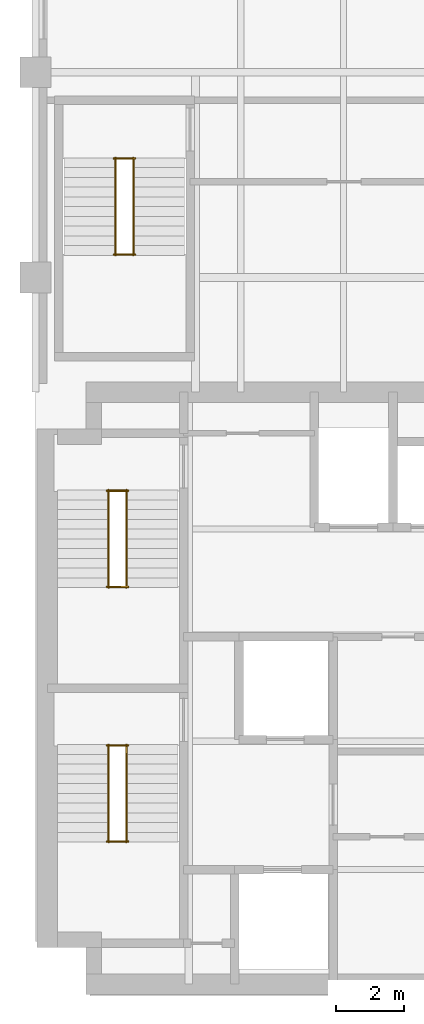
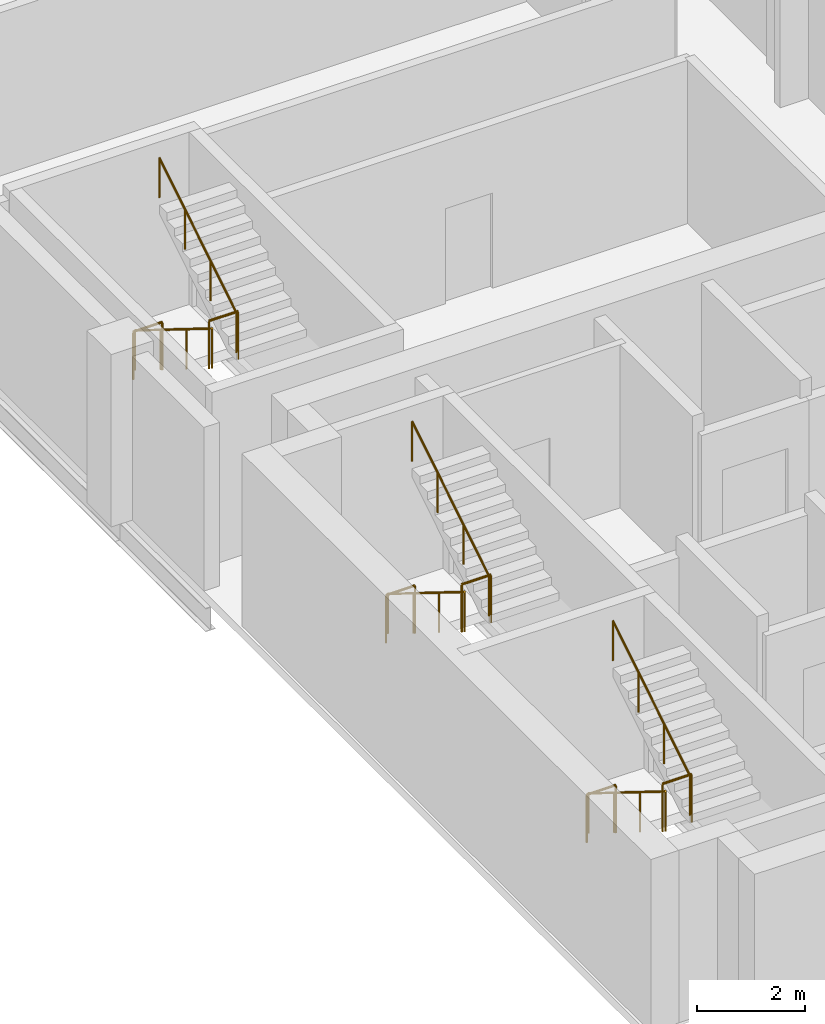
# One storey, part 6 of 6: 12 railings.
"""IFC4 building model written with IfcOpenShell, lengths in metres."""

from ifc_helpers import new_model, si_unit, direction, frame, origin, origin_2d, place, context, subcontext, project, spatial, circle, extrude, material, type_object, element, save


model = new_model("IFC4")

# Units and contexts
model_context = context("Model", 3, precision=1e-05, world=origin(), true_north=direction((0.0, 1.0)))
body_context = subcontext(model_context, "Body", "Model", "MODEL_VIEW")
ifc_project = project(units=[si_unit("LENGTHUNIT", "METRE"), si_unit("AREAUNIT", "SQUARE_METRE"), si_unit("VOLUMEUNIT", "CUBIC_METRE"), si_unit("PLANEANGLEUNIT", "RADIAN"), si_unit("MASSUNIT", "GRAM", prefix="KILO")], contexts=[model_context])

# Site, building, storey
site_placement = place(None, origin())
site = spatial("IfcSite", under=ifc_project, at=site_placement, CompositionType="ELEMENT")
building_placement = place(site_placement, origin())
building = spatial("IfcBuilding", under=site, at=building_placement, Name="Mawjdan Bourse Tower", CompositionType="ELEMENT")
storey_placement = place(building_placement, frame((0.0, 0.0, 211.199951171875)))
storey = spatial("IfcBuildingStorey", under=building, at=storey_placement, Name="L51", CompositionType="ELEMENT", Elevation=211.199951171875)

# Railings
ifc_material_1 = material(Name="Structural Steel S355", Category="steel")
railing_type_1 = type_object("IfcRailingType", Name="RLG-GRD-1100", PredefinedType="GUARDRAIL", material=ifc_material_1)
for number, where, name in (
    (1, (8.090087890625, 7.52001953125, 1.949951171875), "L51 ST1 Landing Guardrail GL-MID"),
    (2, (8.090087890625, 10.330078125, 0.0), "L51 ST1 Landing Guardrail GL-BOT"),
    (3, (8.090087890625, 14.9599609375, 1.949951171875), "L51 ST2 Landing Guardrail GL-MID"),
    (4, (8.090087890625, 17.77001953125, 0.0), "L51 ST2 Landing Guardrail GL-BOT"),
    (5, (8.2900390625, 24.669921875, 1.949951171875), "L51 ST3 Landing Guardrail GL-MID"),
    (6, (8.2900390625, 27.47998046875, 0.0), "L51 ST3 Landing Guardrail GL-BOT"),
):
    element("IfcRailing", number, at=place(storey_placement, frame(where)), inside=storey, type_object=railing_type_1, Name=name, PredefinedType="GUARDRAIL", context=body_context, shape_type="SweptSolid", body=[
        extrude(circle(Radius=0.02490234375, at=origin_2d()), frame((0.0, 0.0, 1.0751953125), z_axis=(1.0, 0.0, 0.0), x_axis=(0.0, 1.0, 0.0)), (0.0, 0.0, 1.0), 0.619873046875),
        extrude(circle(Radius=0.02099609375, at=origin_2d()), origin(), (0.0, 0.0, 1.0), 1.050048828125),
        extrude(circle(Radius=0.02099609375, at=origin_2d()), frame((0.619873046875, 0.0, 0.0)), (0.0, 0.0, 1.0), 1.050048828125),
    ])
ifc_material_2 = material(Name="Brushed Stainless Steel", Category="steel")
railing_type_2 = type_object("IfcRailingType", Name="RLG-HND-920", PredefinedType="HANDRAIL", material=ifc_material_2)
railing_1_placement = place(storey_placement, frame((8.139892578125, 10.35009765625, 0.17724609375)))
element("IfcRailing", 7, at=railing_1_placement, inside=storey, type_object=railing_type_2, Name="L51 ST1 Flight Handrail HR1", PredefinedType="HANDRAIL", context=body_context, shape_type="SweptSolid", body=[
    extrude(circle(Radius=0.0224609375, at=origin_2d()), frame((0.0, 0.0, 0.8974609375), z_axis=(0.0, -0.849148672731, 0.528153890072), x_axis=(1.0, 0.0, 0.0)), (0.0, 0.0, 1.0), 3.3564453125),
    extrude(circle(Radius=0.01904296875, at=origin_2d()), origin(), (0.0, 0.0, 1.0), 0.875),
    extrude(circle(Radius=0.01904296875, at=origin_2d()), frame((0.0, -0.949951171875, 0.5908203125)), (0.0, 0.0, 1.0), 0.875),
    extrude(circle(Radius=0.01904296875, at=origin_2d()), frame((0.0, -1.900146484375, 1.181884765625)), (0.0, 0.0, 1.0), 0.875),
    extrude(circle(Radius=0.01904296875, at=origin_2d()), frame((0.0, -2.85009765625, 1.772705078125)), (0.0, 0.0, 1.0), 0.875),
])
railing_2_placement = place(storey_placement, frame((8.659912109375, 7.5, 2.12744140625)))
element("IfcRailing", 8, at=railing_2_placement, inside=storey, type_object=railing_type_2, Name="L51 ST1 Flight Handrail HR2", PredefinedType="HANDRAIL", context=body_context, shape_type="SweptSolid", body=[
    extrude(circle(Radius=0.0224609375, at=origin_2d()), frame((0.0, 0.0, 0.8974609375), z_axis=(0.0, 0.849148672731, 0.528153890072), x_axis=(-1.0, 0.0, 0.0)), (0.0, 0.0, 1.0), 3.3564453125),
    extrude(circle(Radius=0.01904296875, at=origin_2d()), origin(), (0.0, 0.0, 1.0), 0.875),
    extrude(circle(Radius=0.01904296875, at=origin_2d()), frame((0.0, 0.949951171875, 0.5908203125)), (0.0, 0.0, 1.0), 0.875),
    extrude(circle(Radius=0.01904296875, at=origin_2d()), frame((0.0, 1.900146484375, 1.181884765625)), (0.0, 0.0, 1.0), 0.875),
    extrude(circle(Radius=0.01904296875, at=origin_2d()), frame((0.0, 2.85009765625, 1.772705078125)), (0.0, 0.0, 1.0), 0.875),
])
railing_3_placement = place(storey_placement, frame((8.139892578125, 17.7900390625, 0.17724609375)))
element("IfcRailing", 9, at=railing_3_placement, inside=storey, type_object=railing_type_2, Name="L51 ST2 Flight Handrail HR1", PredefinedType="HANDRAIL", context=body_context, shape_type="SweptSolid", body=[
    extrude(circle(Radius=0.0224609375, at=origin_2d()), frame((0.0, 0.0, 0.8974609375), z_axis=(0.0, -0.849148672731, 0.528153890072), x_axis=(1.0, 0.0, 0.0)), (0.0, 0.0, 1.0), 3.3564453125),
    extrude(circle(Radius=0.01904296875, at=origin_2d()), origin(), (0.0, 0.0, 1.0), 0.875),
    extrude(circle(Radius=0.01904296875, at=origin_2d()), frame((0.0, -0.949951171875, 0.5908203125)), (0.0, 0.0, 1.0), 0.875),
    extrude(circle(Radius=0.01904296875, at=origin_2d()), frame((0.0, -1.900146484375, 1.181884765625)), (0.0, 0.0, 1.0), 0.875),
    extrude(circle(Radius=0.01904296875, at=origin_2d()), frame((0.0, -2.85009765625, 1.772705078125)), (0.0, 0.0, 1.0), 0.875),
])
railing_4_placement = place(storey_placement, frame((8.659912109375, 14.93994140625, 2.12744140625)))
element("IfcRailing", 10, at=railing_4_placement, inside=storey, type_object=railing_type_2, Name="L51 ST2 Flight Handrail HR2", PredefinedType="HANDRAIL", context=body_context, shape_type="SweptSolid", body=[
    extrude(circle(Radius=0.0224609375, at=origin_2d()), frame((0.0, 0.0, 0.8974609375), z_axis=(0.0, 0.849148672731, 0.528153890072), x_axis=(-1.0, 0.0, 0.0)), (0.0, 0.0, 1.0), 3.3564453125),
    extrude(circle(Radius=0.01904296875, at=origin_2d()), origin(), (0.0, 0.0, 1.0), 0.875),
    extrude(circle(Radius=0.01904296875, at=origin_2d()), frame((0.0, 0.949951171875, 0.5908203125)), (0.0, 0.0, 1.0), 0.875),
    extrude(circle(Radius=0.01904296875, at=origin_2d()), frame((0.0, 1.900146484375, 1.181884765625)), (0.0, 0.0, 1.0), 0.875),
    extrude(circle(Radius=0.01904296875, at=origin_2d()), frame((0.0, 2.85009765625, 1.772705078125)), (0.0, 0.0, 1.0), 0.875),
])
railing_5_placement = place(storey_placement, frame((8.340087890625, 27.5, 0.17724609375)))
element("IfcRailing", 11, at=railing_5_placement, inside=storey, type_object=railing_type_2, Name="L51 ST3 Flight Handrail HR1", PredefinedType="HANDRAIL", context=body_context, shape_type="SweptSolid", body=[
    extrude(circle(Radius=0.0224609375, at=origin_2d()), frame((0.0, 0.0, 0.8974609375), z_axis=(0.0, -0.849148672731, 0.528153890072), x_axis=(1.0, 0.0, 0.0)), (0.0, 0.0, 1.0), 3.3564453125),
    extrude(circle(Radius=0.01904296875, at=origin_2d()), origin(), (0.0, 0.0, 1.0), 0.875),
    extrude(circle(Radius=0.01904296875, at=origin_2d()), frame((0.0, -0.949951171875, 0.5908203125)), (0.0, 0.0, 1.0), 0.875),
    extrude(circle(Radius=0.01904296875, at=origin_2d()), frame((0.0, -1.900146484375, 1.181884765625)), (0.0, 0.0, 1.0), 0.875),
    extrude(circle(Radius=0.01904296875, at=origin_2d()), frame((0.0, -2.85009765625, 1.772705078125)), (0.0, 0.0, 1.0), 0.875),
])
railing_6_placement = place(storey_placement, frame((8.860107421875, 24.64990234375, 2.12744140625)))
element("IfcRailing", 12, at=railing_6_placement, inside=storey, type_object=railing_type_2, Name="L51 ST3 Flight Handrail HR2", PredefinedType="HANDRAIL", context=body_context, shape_type="SweptSolid", body=[
    extrude(circle(Radius=0.0224609375, at=origin_2d()), frame((0.0, 0.0, 0.8974609375), z_axis=(0.0, 0.849148672731, 0.528153890072), x_axis=(-1.0, 0.0, 0.0)), (0.0, 0.0, 1.0), 3.3564453125),
    extrude(circle(Radius=0.01904296875, at=origin_2d()), origin(), (0.0, 0.0, 1.0), 0.875),
    extrude(circle(Radius=0.01904296875, at=origin_2d()), frame((0.0, 0.949951171875, 0.5908203125)), (0.0, 0.0, 1.0), 0.875),
    extrude(circle(Radius=0.01904296875, at=origin_2d()), frame((0.0, 1.900146484375, 1.181884765625)), (0.0, 0.0, 1.0), 0.875),
    extrude(circle(Radius=0.01904296875, at=origin_2d()), frame((0.0, 2.85009765625, 1.772705078125)), (0.0, 0.0, 1.0), 0.875),
])

save(model, "model.ifc")
